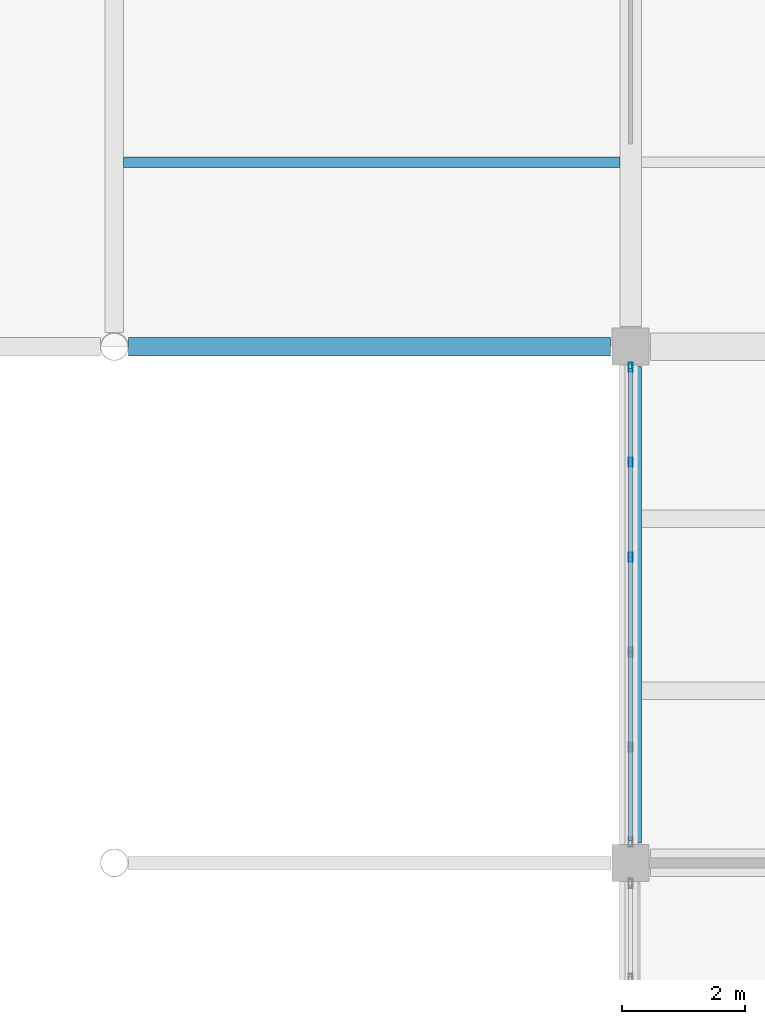
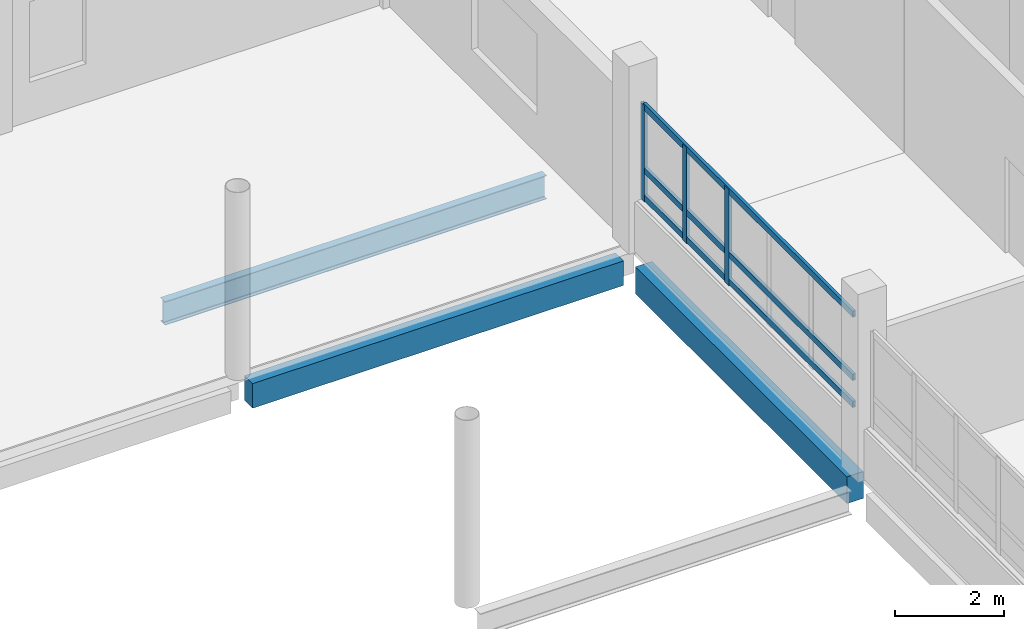
# One storey, part 66 of 130: 6 members, 3 beams, 1 element without a shape of its own.
"""IFC4 building model written with IfcOpenShell, lengths in metres."""

from ifc_helpers import new_model, si_unit, direction, frame, origin, origin_2d, place, context, subcontext, project, spatial, rectangle, hollow_rectangle, i_section, extrude, material, layer, layer_set, material_profile, profile_set, type_object, element, aggregate, save


model = new_model("IFC4")

# Units and contexts
model_context = context("Model", 3, precision=1e-05, world=origin(), true_north=direction((0.0, 1.0)))
body_context = subcontext(model_context, "Body", "Model", "MODEL_VIEW")
ifc_project = project(units=[si_unit("LENGTHUNIT", "METRE"), si_unit("AREAUNIT", "SQUARE_METRE"), si_unit("VOLUMEUNIT", "CUBIC_METRE"), si_unit("PLANEANGLEUNIT", "RADIAN"), si_unit("MASSUNIT", "GRAM", prefix="KILO")], contexts=[model_context])

# Site, building, storey
site_placement = place(None, origin())
site = spatial("IfcSite", under=ifc_project, at=site_placement, CompositionType="ELEMENT")
building_placement = place(site_placement, origin())
building = spatial("IfcBuilding", under=site, at=building_placement, Name="Vireocrest Preparatory School", CompositionType="ELEMENT")
storey_placement = place(building_placement, frame((0.0, 0.0, 9.0)))
storey = spatial("IfcBuildingStorey", under=building, at=storey_placement, Name="L02", CompositionType="ELEMENT", Elevation=9.0)

# Curtain wall, members
ifc_material_1 = material(Name="Thermally broken aluminium EN AW-6063-T6", Category="aluminium")
ifc_layer = layer(ifc_material_1, 0.179931640625)
ifc_layer_set = layer_set([ifc_layer], Name="Thermally broken aluminium EN AW-6063-T6")
curtain_wall_type = type_object("IfcCurtainWallType", Name="Court Banded Curtain Wall 8400x3000", PredefinedType="USERDEFINED", material=ifc_layer_set)
curtain_wall_placement = place(storey_placement, origin())
curtain_wall = element("IfcCurtainWall", 1, at=curtain_wall_placement, inside=storey, type_object=curtain_wall_type, Name="Curtain Wall CW02 CW_L02_CW02_0924_0777_102", ObjectType="CURTAIN WALL", PredefinedType="USERDEFINED")
ifc_material_profile_1 = material_profile(ifc_material_1, hollow_rectangle(XDim=0.06494140625, YDim=0.14990234375, WallThickness=0.00390625, at=origin_2d()), Name="ALU 65x150x4")
ifc_profile_set_1 = profile_set([ifc_material_profile_1], Name="Thermally broken aluminium EN AW-6063-T6")
member_type_1 = type_object("IfcMemberType", Name="CW Mullion 65x150x4", PredefinedType="MULLION", material=ifc_profile_set_1)
member_1_placement = place(storey_placement, frame((92.39990234375, 82.373046875, 1.14990234375), z_axis=(0.0, 0.0, 1.0), x_axis=(1.0, 0.0, 0.0)))
member_1 = element("IfcMember", 2, at=member_1_placement, type_object=member_type_1, Name="CW Mullion ML1 CW_L02_CW02_0924_0777_102-4", PredefinedType="MULLION", context=body_context, shape_type="SweptSolid", body=[
    extrude(hollow_rectangle(XDim=0.06494140625, YDim=0.14990234375, WallThickness=0.00390625, at=origin_2d()), origin(), (0.0, 0.0, 1.0), 2.155029296875),
])
member_2_placement = place(storey_placement, frame((92.39990234375, 83.9189453125, 1.14990234375), z_axis=(0.0, 0.0, 1.0), x_axis=(1.0, 0.0, 0.0)))
member_2 = element("IfcMember", 3, at=member_2_placement, type_object=member_type_1, Name="CW Mullion ML1 CW_L02_CW02_0924_0777_102-5", PredefinedType="MULLION", context=body_context, shape_type="SweptSolid", body=[
    extrude(hollow_rectangle(XDim=0.06494140625, YDim=0.14990234375, WallThickness=0.00390625, at=origin_2d()), origin(), (0.0, 0.0, 1.0), 2.155029296875),
])
member_3_placement = place(storey_placement, frame((92.39990234375, 85.465087890625, 1.14990234375), z_axis=(0.0, 0.0, 1.0), x_axis=(1.0, 0.0, 0.0)))
member_3 = element("IfcMember", 4, at=member_3_placement, type_object=member_type_1, Name="CW Mullion ML1 CW_L02_CW02_0924_0777_102-6", PredefinedType="MULLION", context=body_context, shape_type="SweptSolid", body=[
    extrude(hollow_rectangle(XDim=0.06494140625, YDim=0.14990234375, WallThickness=0.00390625, at=origin_2d()), origin(), (0.0, 0.0, 1.0), 2.155029296875),
])
ifc_material_profile_2 = material_profile(ifc_material_1, hollow_rectangle(XDim=0.06494140625, YDim=0.139892578125, WallThickness=0.00390625, at=origin_2d()), Name="ALU 65x140x4")
ifc_profile_set_2 = profile_set([ifc_material_profile_2], Name="Thermally broken aluminium EN AW-6063-T6")
member_type_2 = type_object("IfcMemberType", Name="CW Transom 65x140x4", PredefinedType="USERDEFINED", material=ifc_profile_set_2)
member_4_placement = place(storey_placement, frame((92.39990234375, 77.760009765625, 1.2451171875), z_axis=(0.0, 1.0, 0.0), x_axis=(-1.0, 0.0, 0.0)))
member_4 = element("IfcMember", 5, at=member_4_placement, type_object=member_type_2, Name="CW Transom TR1 CW_L02_CW02_0924_0777_102-1", ObjectType="TRANSOM", PredefinedType="USERDEFINED", context=body_context, shape_type="SweptSolid", body=[
    extrude(hollow_rectangle(XDim=0.06494140625, YDim=0.139892578125, WallThickness=0.00390625, at=origin_2d()), origin(), (0.0, 0.0, 1.0), 7.679931640625),
])
member_5_placement = place(storey_placement, frame((92.39990234375, 77.760009765625, 1.85009765625), z_axis=(0.0, 1.0, 0.0), x_axis=(-1.0, 0.0, 0.0)))
member_5 = element("IfcMember", 6, at=member_5_placement, type_object=member_type_2, Name="CW Transom TR1 CW_L02_CW02_0924_0777_102-2", ObjectType="TRANSOM", PredefinedType="USERDEFINED", context=body_context, shape_type="SweptSolid", body=[
    extrude(hollow_rectangle(XDim=0.06494140625, YDim=0.139892578125, WallThickness=0.00390625, at=origin_2d()), origin(), (0.0, 0.0, 1.0), 7.679931640625),
])
member_6_placement = place(storey_placement, frame((92.39990234375, 77.760009765625, 3.264892578125), z_axis=(0.0, 1.0, 0.0), x_axis=(-1.0, 0.0, 0.0)))
member_6 = element("IfcMember", 7, at=member_6_placement, type_object=member_type_2, Name="CW Transom TR1 CW_L02_CW02_0924_0777_102-3", ObjectType="TRANSOM", PredefinedType="USERDEFINED", context=body_context, shape_type="SweptSolid", body=[
    extrude(hollow_rectangle(XDim=0.06494140625, YDim=0.139892578125, WallThickness=0.00390625, at=origin_2d()), origin(), (0.0, 0.0, 1.0), 7.679931640625),
])
aggregate(curtain_wall, [member_1, member_2, member_3, member_4, member_5, member_6])

# Beams
ifc_material_2 = material(Name="Structural steel ASTM A992 Grade 50", Category="steel")
ifc_material_profile_3 = material_profile(ifc_material_2, i_section(OverallWidth=0.166015625, OverallDepth=0.529052734375, WebThickness=0.009765625, FlangeThickness=0.013671875, FilletRadius=0.014892578125, at=origin_2d()), Name="W21X50")
ifc_profile_set_3 = profile_set([ifc_material_profile_3], Name="Structural steel ASTM A992 Grade 50")
beam_type_1 = type_object("IfcBeamType", Name="Pavilion Roof Joist W21X50", PredefinedType="JOIST", material=ifc_profile_set_3)
beam_1_placement = place(storey_placement, frame((84.14990234375, 88.800048828125, -0.484619140625), z_axis=(1.0, 0.0, 0.0), x_axis=(0.0, 1.0, 0.0)))
element("IfcBeam", 8, at=beam_1_placement, inside=storey, type_object=beam_type_1, Name="Secondary Joist SJ1 L02-0960", PredefinedType="JOIST", context=body_context, shape_type="SweptSolid", body=[
    extrude(i_section(OverallWidth=0.166015625, OverallDepth=0.529052734375, WebThickness=0.009765625, FlangeThickness=0.013671875, FilletRadius=0.014892578125, at=origin_2d()), origin(), (0.0, 0.0, 1.0), 8.0751953125),
])
ifc_material_3 = material(Name="Concrete 40 MPa", Category="concrete")
ifc_material_profile_4 = material_profile(ifc_material_3, rectangle(XDim=0.35009765625, YDim=0.60009765625, at=origin_2d()), Name="RC 350x600")
ifc_profile_set_4 = profile_set([ifc_material_profile_4], Name="Concrete 40 MPa")
beam_type_2 = type_object("IfcBeamType", Name="RC Classroom Girder 350x600", PredefinedType="BEAM", material=ifc_profile_set_4)
beam_2_placement = place(storey_placement, frame((92.39990234375, 77.72509765625, -0.60009765625), z_axis=(0.0, 1.0, 0.0), x_axis=(-1.0, 0.0, 0.0)))
element("IfcBeam", 9, at=beam_2_placement, inside=storey, type_object=beam_type_2, Name="Primary Girder B04 L02-0843", PredefinedType="BEAM", context=body_context, shape_type="SweptSolid", body=[
    extrude(rectangle(XDim=0.35009765625, YDim=0.60009765625, at=origin_2d()), origin(), (0.0, 0.0, 1.0), 7.75),
])
ifc_material_profile_5 = material_profile(ifc_material_3, rectangle(XDim=0.300048828125, YDim=0.550048828125, at=origin_2d()), Name="RC 300x550")
ifc_profile_set_5 = profile_set([ifc_material_profile_5], Name="Concrete 40 MPa")
beam_type_3 = type_object("IfcBeamType", Name="RC Roof Girder 300x550", PredefinedType="BEAM", material=ifc_profile_set_5)
beam_3_placement = place(storey_placement, frame((84.228515625, 85.800048828125, -0.4951171875), z_axis=(1.0, 0.0, 0.0), x_axis=(0.0, 1.0, 0.0)))
element("IfcBeam", 10, at=beam_3_placement, inside=storey, type_object=beam_type_3, Name="Primary Girder B02 L02-0752", PredefinedType="BEAM", context=body_context, shape_type="SweptSolid", body=[
    extrude(rectangle(XDim=0.300048828125, YDim=0.550048828125, at=origin_2d()), origin(), (0.0, 0.0, 1.0), 7.846435546875),
])

save(model, "model.ifc")
